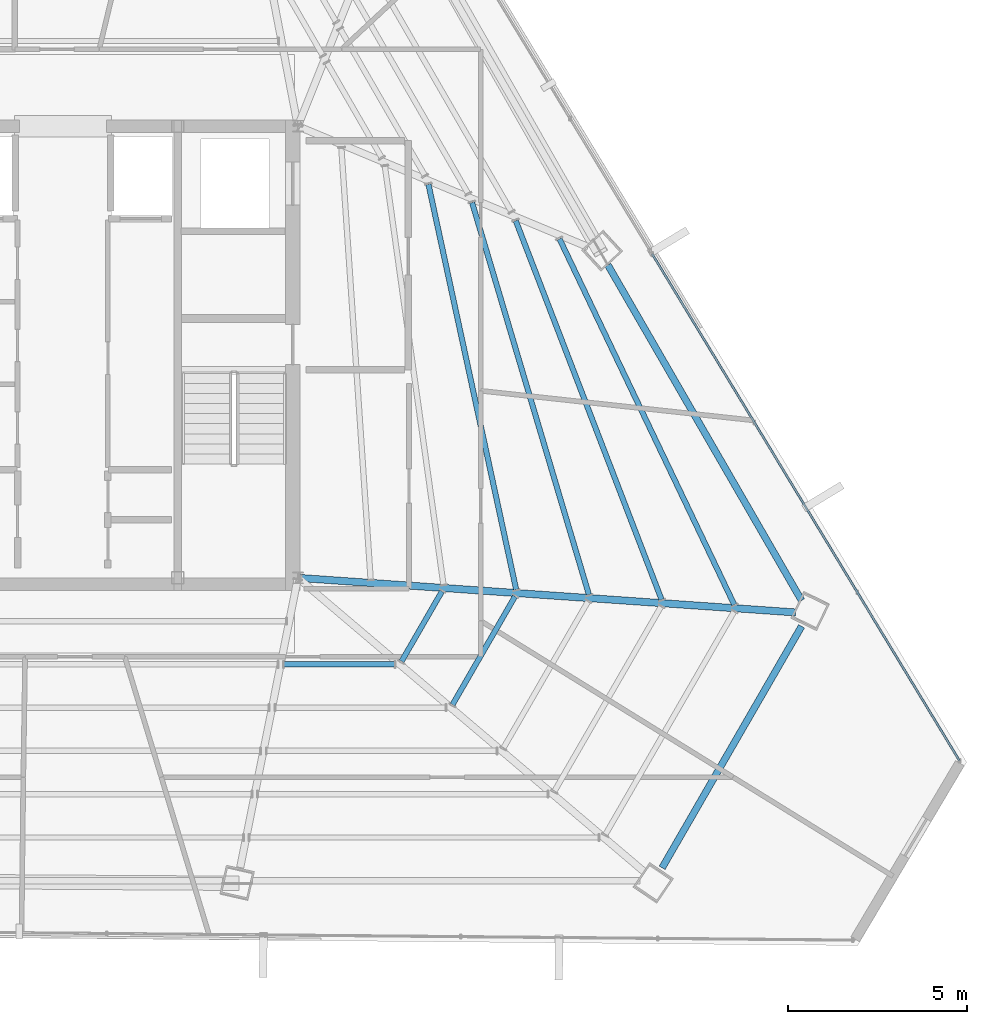
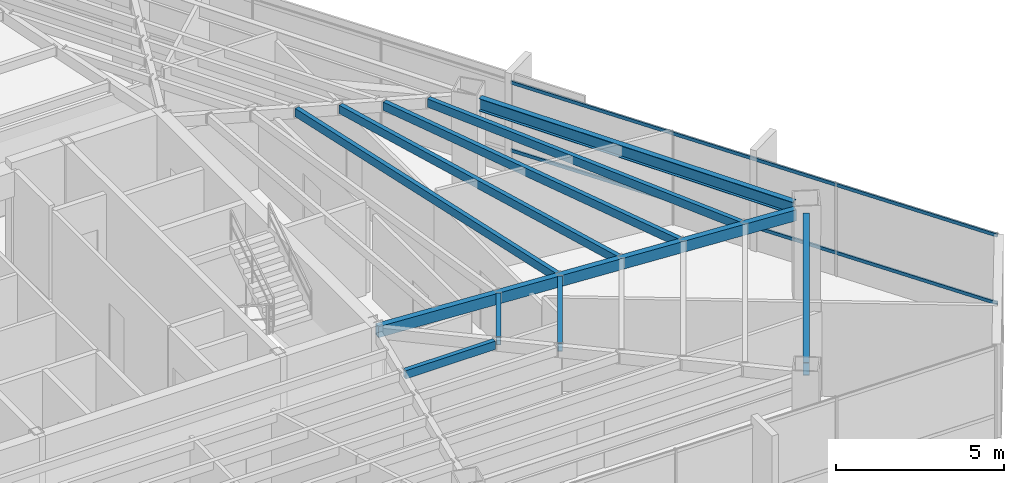
# One storey, part 24 of 49: 10 beams, 2 members, 1 element without a shape of its own.
"""IFC4 building model written with IfcOpenShell, lengths in metres."""

import ifcopenshell
import ifcopenshell.guid

model = None  # the IFC model being written
_history = None  # IfcOwnerHistory: only IFC2X3 demands one
_inside = {}  # id of a spatial element -> (the spatial element, [elements in it])
_under = {}  # id of a project, library or spatial element -> (it, [spatial elements below it])
_declared = {}  # id of a project -> (the project, [libraries it declares])
_typed = {}  # id of a type object -> (the type object, [elements of that type])
_made_of = {}  # id of a material, layer set ... -> (it, [elements and type objects made of it])


def new_model(schema):
    """Start an empty IFC model of exactly this schema.

    Asked for "IFC4X3", IfcOpenShell would pick the latest addendum, in which some entities
    have other attributes; the version numbers below select the first issue.
    IFC2X3 requires an IfcOwnerHistory on every rooted entity: one is made here for all.
    """
    global model, _history
    if schema == "IFC4X3":
        model = ifcopenshell.file(schema_version=(4, 3, 0, 0))
    else:
        model = ifcopenshell.file(schema=schema)
    _inside.clear()
    _under.clear()
    _declared.clear()
    _typed.clear()
    _made_of.clear()
    _history = None
    if model.schema == "IFC2X3":
        org = make("IfcOrganization", Name="unknown")
        user = make(
            "IfcPersonAndOrganization",
            ThePerson=make("IfcPerson", FamilyName="unknown"),
            TheOrganization=org,
        )
        app = make(
            "IfcApplication",
            ApplicationDeveloper=org,
            Version="unknown",
            ApplicationFullName="unknown",
            ApplicationIdentifier="unknown",
        )
        _history = make(
            "IfcOwnerHistory",
            OwningUser=user,
            OwningApplication=app,
            ChangeAction="ADDED",
            CreationDate=0,
        )
    return model


def make(cls, **values):
    """One entity of the class cls with the attributes given. An attribute that is None is left unset."""
    return model.create_entity(
        cls, **{name: value for name, value in values.items() if value is not None}
    )


def rooted(cls, **values):
    """An entity with a GlobalId (a new one), such as an element, a storey or a relation."""
    return make(cls, GlobalId=ifcopenshell.guid.new(), OwnerHistory=_history, **values)


def si_unit(unit_type, name, prefix=None):
    """IfcSIUnit, for example si_unit("LENGTHUNIT", "METRE", prefix="MILLI")."""
    return make("IfcSIUnit", UnitType=unit_type, Prefix=prefix, Name=name)


def assignment(units):
    """IfcUnitAssignment: the units of a project."""
    return None if units is None else make("IfcUnitAssignment", Units=units)


def point(xyz):
    """IfcCartesianPoint."""
    return None if xyz is None else make("IfcCartesianPoint", Coordinates=xyz)


def direction(xyz):
    """IfcDirection."""
    return None if xyz is None else make("IfcDirection", DirectionRatios=xyz)


def frame(location, z_axis=None, x_axis=None):
    """IfcAxis2Placement3D, a coordinate frame: its origin and axes. An axis left out is left unset."""
    return make(
        "IfcAxis2Placement3D",
        Location=point(location),
        Axis=direction(z_axis),
        RefDirection=direction(x_axis),
    )


def frame_2d(location, x_axis=None):
    """IfcAxis2Placement2D, a coordinate frame in the plane: its origin and x axis."""
    return make(
        "IfcAxis2Placement2D", Location=point(location), RefDirection=direction(x_axis)
    )


def origin():
    """The frame at (0, 0, 0) with its axes left unset."""
    return frame((0.0, 0.0, 0.0))


def origin_2d():
    """The frame at (0, 0) in the plane with its x axis left unset."""
    return frame_2d((0.0, 0.0))


def place(relative_to, where):
    """IfcLocalPlacement: puts the frame where relative to a parent placement (None: the world)."""
    return make(
        "IfcLocalPlacement", PlacementRelTo=relative_to, RelativePlacement=where
    )


def context(
    kind, dimensions, precision=None, world=None, true_north=None, identifier=None
):
    """IfcGeometricRepresentationContext, for example the 3D "Model" context."""
    return make(
        "IfcGeometricRepresentationContext",
        ContextIdentifier=identifier,
        ContextType=kind,
        CoordinateSpaceDimension=dimensions,
        Precision=precision,
        WorldCoordinateSystem=world,
        TrueNorth=true_north,
    )


def subcontext(parent, identifier, kind, view, scale=None):
    """IfcGeometricRepresentationSubContext, for example "Body" below "Model"."""
    return make(
        "IfcGeometricRepresentationSubContext",
        ContextIdentifier=identifier,
        ContextType=kind,
        ParentContext=parent,
        TargetScale=scale,
        TargetView=view,
    )


def project(units=None, contexts=None):
    """IfcProject with its units and contexts."""
    return rooted(
        "IfcProject",
        Name="project",
        RepresentationContexts=contexts,
        UnitsInContext=assignment(units),
    )


def spatial(cls, under=None, at=None, **own):
    """A site, building, storey or space (cls), placed at a placement, below another one or the project."""
    s = rooted(cls, ObjectPlacement=at, **own)
    if under is not None:
        _under.setdefault(under.id(), (under, []))[1].append(s)
    return s


def profile(cls, at=None, kind="AREA", **sizes):
    """A parametric profile (cls). Its sizes go by their IFC names, for example OverallWidth=200.0."""
    return make(cls, ProfileType=kind, Position=at, **sizes)


def hollow_rectangle(**sizes):
    """IfcRectangleHollowProfileDef."""
    return profile("IfcRectangleHollowProfileDef", **sizes)


def i_section(**sizes):
    """IfcIShapeProfileDef."""
    return profile("IfcIShapeProfileDef", **sizes)


def extrude(swept, where, along, depth):
    """IfcExtrudedAreaSolid: the profile swept, set in the frame where, extruded along a direction by depth."""
    return make(
        "IfcExtrudedAreaSolid",
        SweptArea=swept,
        Position=where,
        ExtrudedDirection=direction(along),
        Depth=depth,
    )


def shape(context_of_items, identifier, shape_type, items):
    """IfcShapeRepresentation: the items that make up one representation, for example the "Body"."""
    return make(
        "IfcShapeRepresentation",
        ContextOfItems=context_of_items,
        RepresentationIdentifier=identifier,
        RepresentationType=shape_type,
        Items=items,
    )


def source(mapping_origin, context_of_items, identifier, shape_type, items):
    """IfcRepresentationMap: a shape defined once, which mapped items show again and again."""
    return make(
        "IfcRepresentationMap",
        MappingOrigin=mapping_origin,
        MappedRepresentation=shape(context_of_items, identifier, shape_type, items),
    )


def transform(
    local_origin,
    x_axis=None,
    y_axis=None,
    z_axis=None,
    scale=None,
    scale2=None,
    scale3=None,
    uniform=True,
):
    """IfcCartesianTransformationOperator3D, or its non-uniform kind. x_axis, y_axis, z_axis: its Axis1, 2, 3."""
    if uniform:
        return make(
            "IfcCartesianTransformationOperator3D",
            Axis1=direction(x_axis),
            Axis2=direction(y_axis),
            LocalOrigin=point(local_origin),
            Scale=scale,
            Axis3=direction(z_axis),
        )
    return make(
        "IfcCartesianTransformationOperator3DnonUniform",
        Axis1=direction(x_axis),
        Axis2=direction(y_axis),
        LocalOrigin=point(local_origin),
        Scale=scale,
        Axis3=direction(z_axis),
        Scale2=scale2,
        Scale3=scale3,
    )


def mapped(mapping_source, mapping_target):
    """IfcMappedItem: shows the shape of a source again, moved by a transform."""
    return make(
        "IfcMappedItem", MappingSource=mapping_source, MappingTarget=mapping_target
    )


def material(Name=None, Category=None):
    """IfcMaterial."""
    return make("IfcMaterial", Name=Name, Category=Category)


def material_profile(
    of_material, cross_section, Name=None, Category=None, Priority=None
):
    """IfcMaterialProfile: a cross section and its material."""
    return make(
        "IfcMaterialProfile",
        Name=Name,
        Material=of_material,
        Profile=cross_section,
        Priority=Priority,
        Category=Category,
    )


def profile_set(profiles, Name=None, composite=None):
    """IfcMaterialProfileSet."""
    return make(
        "IfcMaterialProfileSet",
        Name=Name,
        MaterialProfiles=profiles,
        CompositeProfile=composite,
    )


def made_of(thing, what):
    """Note that an element or type object is made of a material, layer set ...; save() writes the relation."""
    if what is not None:
        _made_of.setdefault(what.id(), (what, []))[1].append(thing)
    return thing


def type_object(cls, material=None, **own):
    """A type object (cls), such as IfcWallType, which elements share."""
    return made_of(rooted(cls, **own), material)


def type_shapes(of_type, sources):
    """Give a type object the sources (RepresentationMaps) that its elements show as mapped items."""
    of_type.RepresentationMaps = sources


def element(
    cls,
    number,
    at=None,
    inside=None,
    cuts=None,
    type_object=None,
    material=None,
    context=None,
    identifier="Body",
    shape_type=None,
    held_by="IfcProductDefinitionShape",
    body=None,
    shapes=None,
    **own,
):
    """One element of the class cls, such as IfcWall. Its Tag is "e" and its number.

    at: its placement. inside: the storey or other place that contains it. cuts: it is an
    opening in that element (IfcRelVoidsElement). A single representation is given by context,
    identifier, shape_type and body (its items); several are given by shapes. held_by: the class
    of the entity that holds the representations. save() writes the other relations.
    """
    e = rooted(cls, Tag="e%d" % number, ObjectPlacement=at, **own)
    if body is not None:
        shapes = [shape(context, identifier, shape_type, body)]
    if shapes is not None:
        e.Representation = make(held_by, Representations=shapes)
    if inside is not None:
        _inside.setdefault(inside.id(), (inside, []))[1].append(e)
    if cuts is not None:
        rooted(
            "IfcRelVoidsElement", RelatingBuildingElement=cuts, RelatedOpeningElement=e
        )
    if type_object is not None:
        _typed.setdefault(type_object.id(), (type_object, []))[1].append(e)
    return made_of(e, material)


def aggregate(whole, parts):
    """IfcRelAggregates: a whole, such as a stair, and the parts it consists of."""
    return rooted("IfcRelAggregates", RelatingObject=whole, RelatedObjects=parts)


def save(model, path):
    """Write the relations noted so far, then the file.

    IfcRelAggregates (storeys below a building ...), IfcRelContainedInSpatialStructure (elements
    in a storey), IfcRelDefinesByType, IfcRelAssociatesMaterial and IfcRelDeclares: one each for
    every whole, place, type object, material and project.
    """
    for whole, parts in _under.values():
        aggregate(whole, parts)
    for where, things in _inside.values():
        rooted(
            "IfcRelContainedInSpatialStructure",
            RelatedElements=things,
            RelatingStructure=where,
        )
    for kind, things in _typed.values():
        rooted("IfcRelDefinesByType", RelatedObjects=things, RelatingType=kind)
    for what, things in _made_of.values():
        rooted("IfcRelAssociatesMaterial", RelatedObjects=things, RelatingMaterial=what)
    for by, libraries in _declared.values():
        rooted("IfcRelDeclares", RelatingContext=by, RelatedDefinitions=libraries)
    model.write(path)


model = new_model("IFC4")

# Units and contexts
model_context = context("Model", 3, precision=1e-05, world=origin(), true_north=direction((0.0, 1.0)))
body_context = subcontext(model_context, "Body", "Model", "MODEL_VIEW")
ifc_project = project(units=[si_unit("LENGTHUNIT", "METRE"), si_unit("AREAUNIT", "SQUARE_METRE"), si_unit("VOLUMEUNIT", "CUBIC_METRE"), si_unit("PLANEANGLEUNIT", "RADIAN"), si_unit("MASSUNIT", "GRAM", prefix="KILO")], contexts=[model_context])

# Site, building, storey
site_placement = place(None, origin())
site = spatial("IfcSite", under=ifc_project, at=site_placement, CompositionType="ELEMENT")
building_placement = place(site_placement, origin())
building = spatial("IfcBuilding", under=site, at=building_placement, Name="Caelisora Broadcast Tower", CompositionType="ELEMENT")
storey_placement = place(building_placement, frame((0.0, 0.0, 233.5)))
storey = spatial("IfcBuildingStorey", under=building, at=storey_placement, Name="L61", CompositionType="ELEMENT", Elevation=233.5)

# Beams
ifc_material_1 = material(Name="Steel Grade 350 (AS/NZS 3679.1)", Category="steel")
ifc_material_profile_1 = material_profile(ifc_material_1, i_section(OverallWidth=0.19091796875, OverallDepth=0.46044921875, WebThickness=0.010009765625, FlangeThickness=0.01611328125, at=origin_2d()), Name="Steel Grade 350 (AS/NZS 3679.1)")
ifc_profile_set_1 = profile_set([ifc_material_profile_1], Name="Steel Grade 350 (AS/NZS 3679.1)")
beam_type_1 = type_object("IfcBeamType", Name="PG06", PredefinedType="BEAM", material=ifc_profile_set_1)
shared_shape_1 = source(origin(), body_context, "Body", "SweptSolid", [
    extrude(i_section(OverallWidth=0.19091796875, OverallDepth=0.46044921875, WebThickness=0.010009765625, FlangeThickness=0.01611328125, at=origin_2d()), origin(), (0.0, 0.0, 1.0), 7.77978515625),
])
beam_1_placement = place(storey_placement, frame((55.66259765625, 9.310791015625, 3.169921875), z_axis=(0.499996813733, 0.866027243369, 0.0), x_axis=(-0.866027243369, 0.499996813733, 0.0)))
element("IfcBeam", 1, at=beam_1_placement, inside=storey, type_object=beam_type_1, Name="L61 beam PG06", PredefinedType="BEAM", context=body_context, shape_type="MappedRepresentation", body=[
    mapped(shared_shape_1, transform((0.0, 0.0, 0.0), scale=1.0)),
])
shared_shape_2 = source(origin(), body_context, "Body", "SweptSolid", [
    extrude(i_section(OverallWidth=0.19091796875, OverallDepth=0.46044921875, WebThickness=0.010009765625, FlangeThickness=0.01611328125, at=origin_2d()), origin(), (0.0, 0.0, 1.0), 10.804443359375),
])
type_shapes(beam_type_1, [shared_shape_1, shared_shape_2])
beam_2_placement = place(storey_placement, frame((59.552490234375, 16.768798828125, 3.169921875), z_axis=(-0.50000802585, 0.866020770008, 0.0), x_axis=(-0.866020770008, -0.50000802585, 0.0)))
element("IfcBeam", 2, at=beam_2_placement, inside=storey, type_object=beam_type_1, Name="L61 beam PG06", PredefinedType="BEAM", context=body_context, shape_type="MappedRepresentation", body=[
    mapped(shared_shape_2, transform((0.0, 0.0, 0.0), scale=1.0)),
])
ifc_material_2 = material(Name="Steel Grade 350 (AS/NZS 1163 C350L0)", Category="steel")
ifc_material_profile_2 = material_profile(ifc_material_2, hollow_rectangle(XDim=0.199951171875, YDim=0.39990234375, WallThickness=0.012451171875, at=origin_2d()), Name="Steel Grade 350 (AS/NZS 1163 C350L0)")
ifc_profile_set_2 = profile_set([ifc_material_profile_2], Name="Steel Grade 350 (AS/NZS 1163 C350L0)")
beam_type_2 = type_object("IfcBeamType", Name="PG07", PredefinedType="BEAM", material=ifc_profile_set_2)
shared_shape_3 = source(origin(), body_context, "Body", "SweptSolid", [
    extrude(hollow_rectangle(XDim=0.199951171875, YDim=0.39990234375, WallThickness=0.012451171875, at=origin_2d()), origin(), (0.0, 0.0, 1.0), 13.85888671875),
])
type_shapes(beam_type_2, [shared_shape_3])
beam_3_placement = place(storey_placement, frame((45.559814453125, 17.395751953125, 3.199951171875), z_axis=(0.997593242513, -0.069337742191, 0.0), x_axis=(0.069337742191, 0.997593242513, 0.0)))
element("IfcBeam", 3, at=beam_3_placement, inside=storey, type_object=beam_type_2, Name="L61 beam PG07", PredefinedType="BEAM", context=body_context, shape_type="MappedRepresentation", body=[
    mapped(shared_shape_3, transform((0.0, 0.0, 0.0), scale=1.0)),
])
ifc_material_profile_3 = material_profile(ifc_material_2, hollow_rectangle(XDim=0.14990234375, YDim=0.300048828125, WallThickness=0.010009765625, at=origin_2d()), Name="Steel Grade 350 (AS/NZS 1163 C350L0)")
ifc_profile_set_3 = profile_set([ifc_material_profile_3], Name="Steel Grade 350 (AS/NZS 1163 C350L0)")
beam_type_3 = type_object("IfcBeamType", Name="SB05", PredefinedType="JOIST", material=ifc_profile_set_3)
shared_shape_4 = source(origin(), body_context, "Body", "SweptSolid", [
    extrude(hollow_rectangle(XDim=0.14990234375, YDim=0.300048828125, WallThickness=0.010009765625, at=origin_2d()), origin(), (0.0, 0.0, 1.0), 11.565673828125),
])
beam_4_placement = place(storey_placement, frame((51.590087890625, 17.073974609375, 3.25), z_axis=(-0.211554070368, 0.977366295362, 0.0), x_axis=(-0.977366295362, -0.211554070368, 0.0)))
element("IfcBeam", 4, at=beam_4_placement, inside=storey, type_object=beam_type_3, Name="L61 beam SB05", PredefinedType="JOIST", context=body_context, shape_type="MappedRepresentation", body=[
    mapped(shared_shape_4, transform((0.0, 0.0, 0.0), scale=1.0)),
])
shared_shape_5 = source(origin(), body_context, "Body", "SweptSolid", [
    extrude(hollow_rectangle(XDim=0.14990234375, YDim=0.300048828125, WallThickness=0.010009765625, at=origin_2d()), origin(), (0.0, 0.0, 1.0), 11.4130859375),
])
beam_5_placement = place(storey_placement, frame((53.619140625, 16.93310546875, 3.25), z_axis=(-0.285549742428, 0.958363889449, 0.0), x_axis=(-0.958363889449, -0.285549742428, 0.0)))
element("IfcBeam", 5, at=beam_5_placement, inside=storey, type_object=beam_type_3, Name="L61 beam SB05", PredefinedType="JOIST", context=body_context, shape_type="MappedRepresentation", body=[
    mapped(shared_shape_5, transform((0.0, 0.0, 0.0), scale=1.0)),
])
shared_shape_6 = source(origin(), body_context, "Body", "SweptSolid", [
    extrude(hollow_rectangle(XDim=0.14990234375, YDim=0.300048828125, WallThickness=0.010009765625, at=origin_2d()), origin(), (0.0, 0.0, 1.0), 11.309326171875),
])
beam_6_placement = place(storey_placement, frame((57.675048828125, 16.651123046875, 3.25), z_axis=(-0.431106375281, 0.902301110047, 0.0), x_axis=(-0.902301110047, -0.431106375281, 0.0)))
element("IfcBeam", 6, at=beam_6_placement, inside=storey, type_object=beam_type_3, Name="L61 beam SB05", PredefinedType="JOIST", context=body_context, shape_type="MappedRepresentation", body=[
    mapped(shared_shape_6, transform((0.0, 0.0, 0.0), scale=1.0)),
])
shared_shape_7 = source(origin(), body_context, "Body", "SweptSolid", [
    extrude(hollow_rectangle(XDim=0.14990234375, YDim=0.300048828125, WallThickness=0.010009765625, at=origin_2d()), origin(), (0.0, 0.0, 1.0), 2.253662109375),
])
beam_7_placement = place(storey_placement, frame((48.3935546875, 15.0712890625, 3.25), z_axis=(0.499972532251, 0.866041261716, 0.0), x_axis=(-0.866041261716, 0.499972532251, 0.0)))
element("IfcBeam", 7, at=beam_7_placement, inside=storey, type_object=beam_type_3, Name="L61 beam SB05", PredefinedType="JOIST", context=body_context, shape_type="MappedRepresentation", body=[
    mapped(shared_shape_7, transform((0.0, 0.0, 0.0), scale=1.0)),
])
shared_shape_8 = source(origin(), body_context, "Body", "SweptSolid", [
    extrude(hollow_rectangle(XDim=0.14990234375, YDim=0.300048828125, WallThickness=0.010009765625, at=origin_2d()), origin(), (0.0, 0.0, 1.0), 3.48388671875),
])
beam_8_placement = place(storey_placement, frame((49.815673828125, 13.8642578125, 3.25), z_axis=(0.500005538244, 0.866022206254, 0.0), x_axis=(-0.866022206254, 0.500005538244, 0.0)))
element("IfcBeam", 8, at=beam_8_placement, inside=storey, type_object=beam_type_3, Name="L61 beam SB05", PredefinedType="JOIST", context=body_context, shape_type="MappedRepresentation", body=[
    mapped(shared_shape_8, transform((0.0, 0.0, 0.0), scale=1.0)),
])
shared_shape_9 = source(origin(), body_context, "Body", "SweptSolid", [
    extrude(hollow_rectangle(XDim=0.14990234375, YDim=0.300048828125, WallThickness=0.010009765625, at=origin_2d()), origin(), (0.0, 0.0, 1.0), 3.07421875),
])
beam_9_placement = place(storey_placement, frame((45.118408203125, 14.98583984375, 3.25), z_axis=(1.0, 0.0, 0.0), x_axis=(0.0, 1.0, 0.0)))
element("IfcBeam", 9, at=beam_9_placement, inside=storey, type_object=beam_type_3, Name="L61 beam SB05", PredefinedType="JOIST", context=body_context, shape_type="MappedRepresentation", body=[
    mapped(shared_shape_9, transform((0.0, 0.0, 0.0), scale=1.0)),
])
shared_shape_10 = source(origin(), body_context, "Body", "SweptSolid", [
    extrude(hollow_rectangle(XDim=0.14990234375, YDim=0.300048828125, WallThickness=0.010009765625, at=origin_2d()), origin(), (0.0, 0.0, 1.0), 11.32763671875),
])
type_shapes(beam_type_3, [shared_shape_4, shared_shape_5, shared_shape_6, shared_shape_7, shared_shape_8, shared_shape_9, shared_shape_10])
beam_10_placement = place(storey_placement, frame((55.6474609375, 16.7919921875, 3.25), z_axis=(-0.359192816686, 0.933263371424, 0.0), x_axis=(-0.933263371424, -0.359192816686, 0.0)))
element("IfcBeam", 10, at=beam_10_placement, inside=storey, type_object=beam_type_3, Name="L61 beam SB05", PredefinedType="JOIST", context=body_context, shape_type="MappedRepresentation", body=[
    mapped(shared_shape_10, transform((0.0, 0.0, 0.0), scale=1.0)),
])

# Curtain wall, members
ifc_material_3 = material(Name="Unitised Aluminium and Low-E Glass Curtain Wall", Category="glass")
curtain_wall_type = type_object("IfcCurtainWallType", Name="CW-Z5", PredefinedType="NOTDEFINED", material=ifc_material_3)
curtain_wall_placement = place(storey_placement, origin())
curtain_wall = element("IfcCurtainWall", 11, at=curtain_wall_placement, inside=storey, type_object=curtain_wall_type, Name="L61 curtain wall CW-Z5", PredefinedType="NOTDEFINED")
ifc_material_4 = material(Name="Aluminium 6063-T6 Anodised Terracotta Bronze", Category="aluminium")
ifc_material_profile_4 = material_profile(ifc_material_4, hollow_rectangle(XDim=0.06005859375, YDim=0.1201171875, WallThickness=0.0029296875, at=origin_2d()), Name="Aluminium 6063-T6 Anodised Terracotta Bronze")
ifc_profile_set_4 = profile_set([ifc_material_profile_4], Name="Aluminium 6063-T6 Anodised Terracotta Bronze")
member_type = type_object("IfcMemberType", Name="CWT-03", PredefinedType="USERDEFINED", material=ifc_profile_set_4)
shared_shape_11 = source(origin(), body_context, "Body", "SweptSolid", [
    extrude(hollow_rectangle(XDim=0.06005859375, YDim=0.1201171875, WallThickness=0.0029296875, at=origin_2d()), origin(), (0.0, 0.0, 1.0), 16.534912109375),
])
type_shapes(member_type, [shared_shape_11])
member_1_placement = place(storey_placement, frame((55.384521484375, 26.4365234375, 0.85009765625), z_axis=(0.518504912038, -0.855074649485, 0.0), x_axis=(0.855074649485, 0.518504912038, 0.0)))
member_1 = element("IfcMember", 12, at=member_1_placement, type_object=member_type, Name="L61-CW-B03 transom #1", ObjectType="TRANSOM", PredefinedType="USERDEFINED", context=body_context, shape_type="MappedRepresentation", body=[
    mapped(shared_shape_11, transform((0.0, 0.0, 0.0), scale=1.0)),
])
member_2_placement = place(storey_placement, frame((55.384521484375, 26.4365234375, 3.320068359375), z_axis=(0.518504912038, -0.855074649485, 0.0), x_axis=(0.855074649485, 0.518504912038, 0.0)))
member_2 = element("IfcMember", 13, at=member_2_placement, type_object=member_type, Name="L61-CW-B03 transom #2", ObjectType="TRANSOM", PredefinedType="USERDEFINED", context=body_context, shape_type="MappedRepresentation", body=[
    mapped(shared_shape_11, transform((0.0, 0.0, 0.0), scale=1.0)),
])
aggregate(curtain_wall, [member_1, member_2])

save(model, "model.ifc")
